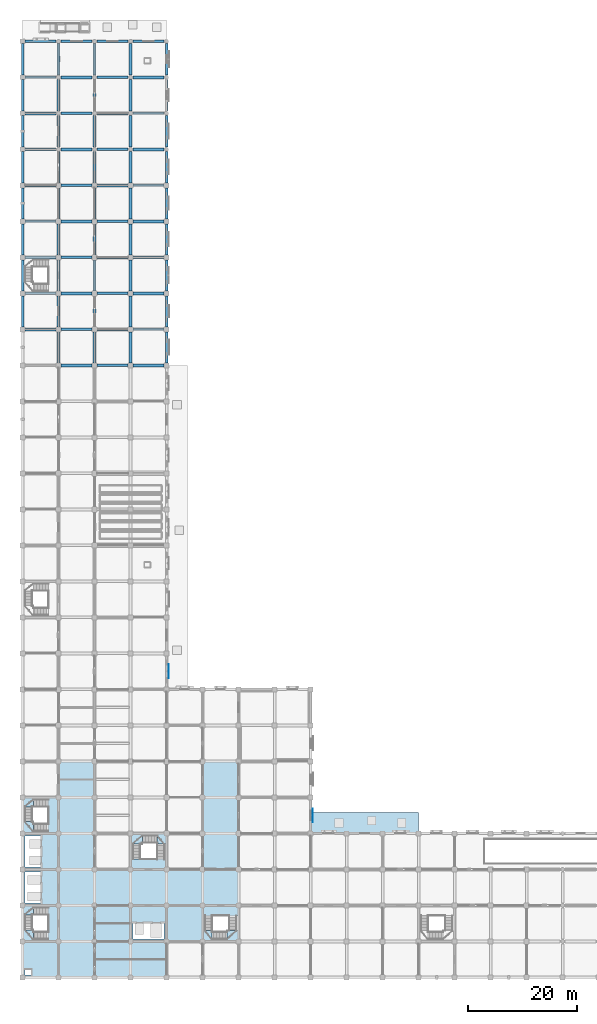
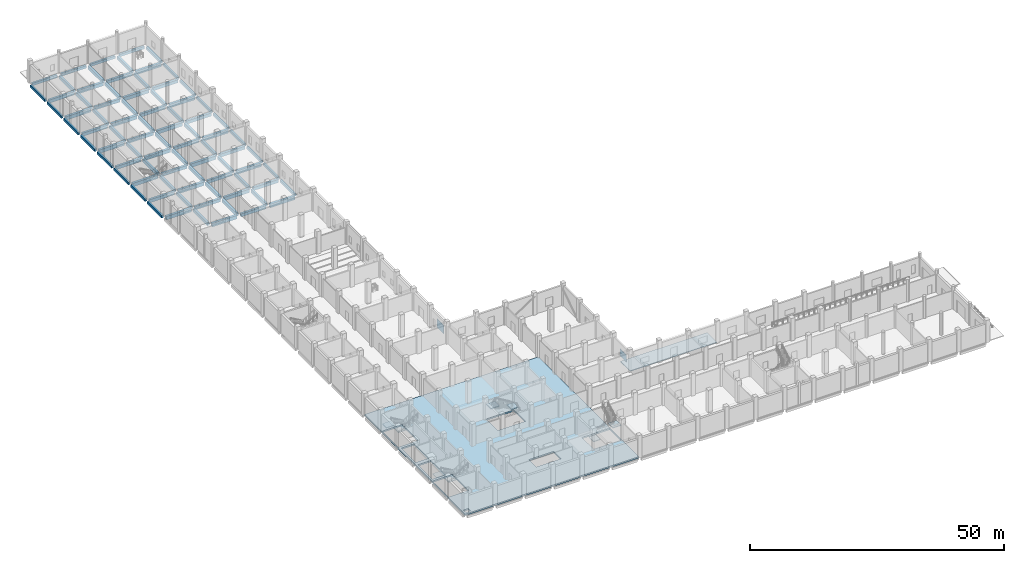
# One storey, part 5 of 28: 83 beams, 10 slabs, 2 plates, 4 elements without a shape of their own.
"""IFC4 building model written with IfcOpenShell, lengths in metres."""

from ifc_helpers import new_model, si_unit, direction, frame, origin, origin_2d, place, context, subcontext, project, spatial, polyline, rectangle, outline, extrude, material, layer, layer_set, material_profile, profile_set, type_object, element, aggregate, save


model = new_model("IFC4")

# Units and contexts
model_context = context("Model", 3, precision=1e-05, world=origin(), true_north=direction((0.0, 1.0)))
body_context = subcontext(model_context, "Body", "Model", "MODEL_VIEW")
ifc_project = project(units=[si_unit("LENGTHUNIT", "METRE"), si_unit("AREAUNIT", "SQUARE_METRE"), si_unit("VOLUMEUNIT", "CUBIC_METRE"), si_unit("PLANEANGLEUNIT", "RADIAN"), si_unit("MASSUNIT", "GRAM", prefix="KILO")], contexts=[model_context])

# Site, building, storey
site_placement = place(None, origin())
site = spatial("IfcSite", under=ifc_project, at=site_placement, CompositionType="ELEMENT")
building_placement = place(site_placement, origin())
building = spatial("IfcBuilding", under=site, at=building_placement, Name="Rusizi Kubbe Research Institute", CompositionType="ELEMENT")
storey_placement = place(building_placement, origin())
storey = spatial("IfcBuildingStorey", under=building, at=storey_placement, Name="L00", CompositionType="ELEMENT", Elevation=0.0)

# Beams
ifc_material_1 = material(Name="Concrete C40/50", Category="concrete")
ifc_material_profile_1 = material_profile(ifc_material_1, rectangle(XDim=0.449951171875, YDim=0.60009765625, at=origin_2d()), Name="RC450x600")
ifc_profile_set_1 = profile_set([ifc_material_profile_1], Name="Concrete C40/50")
beam_type_1 = type_object("IfcBeamType", Name="BM-RC450x600", PredefinedType="SPANDREL", material=ifc_profile_set_1)
for number, where, z_axis, x_axis, name in (
    (1, (0.449951171875, 171.60009765625, -0.7099609375), (1.0, 0.0, 0.0), (0.0, 1.0, 0.0), "Grid Beam H L00 (0,26)"),
    (2, (7.050048828125, 171.60009765625, -0.7099609375), (1.0, 0.0, 0.0), (0.0, 1.0, 0.0), "Grid Beam H L00 (1,26)"),
):
    element("IfcBeam", number, at=place(storey_placement, frame(where, z_axis=z_axis, x_axis=x_axis)), inside=storey, type_object=beam_type_1, Name=name, PredefinedType="SPANDREL", context=body_context, shape_type="SweptSolid", body=[
        extrude(rectangle(XDim=0.449951171875, YDim=0.60009765625, at=origin_2d()), origin(), (0.0, 0.0, 1.0), 5.699951171875),
    ])
beam_1_placement = place(storey_placement, frame((13.64990234375, 171.60009765625, -0.7099609375), z_axis=(1.0, 0.0, 0.0), x_axis=(0.0, 1.0, 0.0)))
element("IfcBeam", 3, at=beam_1_placement, inside=storey, type_object=beam_type_1, Name="Grid Beam H L00 (2,26)", PredefinedType="SPANDREL", context=body_context, shape_type="SweptSolid", body=[
    extrude(rectangle(XDim=0.449951171875, YDim=0.60009765625, at=origin_2d()), origin(), (0.0, 0.0, 1.0), 5.7001953125),
])
for number, where, z_axis, x_axis, name in (
    (4, (20.25, 171.60009765625, -0.7099609375), (1.0, 0.0, 0.0), (0.0, 1.0, 0.0), "Grid Beam H L00 (3,26)"),
    (5, (0.0, 119.25, -0.7099609375), (0.0, 1.0, 0.0), (-1.0, 0.0, 0.0), "Grid Beam V L00 (0,18)"),
    (6, (0.0, 125.85009765625, -0.7099609375), (0.0, 1.0, 0.0), (-1.0, 0.0, 0.0), "Grid Beam V L00 (0,19)"),
    (7, (0.0, 132.449951171875, -0.7099609375), (0.0, 1.0, 0.0), (-1.0, 0.0, 0.0), "Grid Beam V L00 (0,20)"),
    (8, (0.0, 139.050048828125, -0.7099609375), (0.0, 1.0, 0.0), (-1.0, 0.0, 0.0), "Grid Beam V L00 (0,21)"),
):
    element("IfcBeam", number, at=place(storey_placement, frame(where, z_axis=z_axis, x_axis=x_axis)), inside=storey, type_object=beam_type_1, Name=name, PredefinedType="SPANDREL", context=body_context, shape_type="SweptSolid", body=[
        extrude(rectangle(XDim=0.449951171875, YDim=0.60009765625, at=origin_2d()), origin(), (0.0, 0.0, 1.0), 5.699951171875),
    ])
beam_2_placement = place(storey_placement, frame((0.0, 145.64990234375, -0.7099609375), z_axis=(0.0, 1.0, 0.0), x_axis=(-1.0, 0.0, 0.0)))
element("IfcBeam", 9, at=beam_2_placement, inside=storey, type_object=beam_type_1, Name="Grid Beam V L00 (0,22)", PredefinedType="SPANDREL", context=body_context, shape_type="SweptSolid", body=[
    extrude(rectangle(XDim=0.449951171875, YDim=0.60009765625, at=origin_2d()), origin(), (0.0, 0.0, 1.0), 5.7001953125),
])
for number, where, z_axis, x_axis, name in (
    (10, (0.0, 152.25, -0.7099609375), (0.0, 1.0, 0.0), (-1.0, 0.0, 0.0), "Grid Beam V L00 (0,23)"),
    (11, (0.0, 158.85009765625, -0.7099609375), (0.0, 1.0, 0.0), (-1.0, 0.0, 0.0), "Grid Beam V L00 (0,24)"),
    (12, (0.0, 165.449951171875, -0.7099609375), (0.0, 1.0, 0.0), (-1.0, 0.0, 0.0), "Grid Beam V L00 (0,25)"),
):
    element("IfcBeam", number, at=place(storey_placement, frame(where, z_axis=z_axis, x_axis=x_axis)), inside=storey, type_object=beam_type_1, Name=name, PredefinedType="SPANDREL", context=body_context, shape_type="SweptSolid", body=[
        extrude(rectangle(XDim=0.449951171875, YDim=0.60009765625, at=origin_2d()), origin(), (0.0, 0.0, 1.0), 5.699951171875),
    ])
beam_3_placement = place(storey_placement, frame((26.39990234375, 112.64990234375, -0.7099609375), z_axis=(0.0, 1.0, 0.0), x_axis=(-1.0, 0.0, 0.0)))
element("IfcBeam", 13, at=beam_3_placement, inside=storey, type_object=beam_type_1, Name="Grid Beam V L00 (4,17)", PredefinedType="SPANDREL", context=body_context, shape_type="SweptSolid", body=[
    extrude(rectangle(XDim=0.449951171875, YDim=0.60009765625, at=origin_2d()), origin(), (0.0, 0.0, 1.0), 5.7001953125),
])
for number, where, z_axis, x_axis, name in (
    (14, (26.39990234375, 119.25, -0.7099609375), (0.0, 1.0, 0.0), (-1.0, 0.0, 0.0), "Grid Beam V L00 (4,18)"),
    (15, (26.39990234375, 125.85009765625, -0.7099609375), (0.0, 1.0, 0.0), (-1.0, 0.0, 0.0), "Grid Beam V L00 (4,19)"),
    (16, (26.39990234375, 132.449951171875, -0.7099609375), (0.0, 1.0, 0.0), (-1.0, 0.0, 0.0), "Grid Beam V L00 (4,20)"),
    (17, (26.39990234375, 139.050048828125, -0.7099609375), (0.0, 1.0, 0.0), (-1.0, 0.0, 0.0), "Grid Beam V L00 (4,21)"),
):
    element("IfcBeam", number, at=place(storey_placement, frame(where, z_axis=z_axis, x_axis=x_axis)), inside=storey, type_object=beam_type_1, Name=name, PredefinedType="SPANDREL", context=body_context, shape_type="SweptSolid", body=[
        extrude(rectangle(XDim=0.449951171875, YDim=0.60009765625, at=origin_2d()), origin(), (0.0, 0.0, 1.0), 5.699951171875),
    ])
beam_4_placement = place(storey_placement, frame((26.39990234375, 145.64990234375, -0.7099609375), z_axis=(0.0, 1.0, 0.0), x_axis=(-1.0, 0.0, 0.0)))
element("IfcBeam", 18, at=beam_4_placement, inside=storey, type_object=beam_type_1, Name="Grid Beam V L00 (4,22)", PredefinedType="SPANDREL", context=body_context, shape_type="SweptSolid", body=[
    extrude(rectangle(XDim=0.449951171875, YDim=0.60009765625, at=origin_2d()), origin(), (0.0, 0.0, 1.0), 5.7001953125),
])
for number, where, z_axis, x_axis, name in (
    (19, (26.39990234375, 152.25, -0.7099609375), (0.0, 1.0, 0.0), (-1.0, 0.0, 0.0), "Grid Beam V L00 (4,23)"),
    (20, (26.39990234375, 158.85009765625, -0.7099609375), (0.0, 1.0, 0.0), (-1.0, 0.0, 0.0), "Grid Beam V L00 (4,24)"),
    (21, (26.39990234375, 165.449951171875, -0.7099609375), (0.0, 1.0, 0.0), (-1.0, 0.0, 0.0), "Grid Beam V L00 (4,25)"),
):
    element("IfcBeam", number, at=place(storey_placement, frame(where, z_axis=z_axis, x_axis=x_axis)), inside=storey, type_object=beam_type_1, Name=name, PredefinedType="SPANDREL", context=body_context, shape_type="SweptSolid", body=[
        extrude(rectangle(XDim=0.449951171875, YDim=0.60009765625, at=origin_2d()), origin(), (0.0, 0.0, 1.0), 5.699951171875),
    ])
ifc_material_2 = material(Name="Concrete C45/55", Category="concrete")
ifc_material_profile_2 = material_profile(ifc_material_2, rectangle(XDim=0.5, YDim=0.75, at=origin_2d()), Name="RC500x750B")
ifc_profile_set_2 = profile_set([ifc_material_profile_2], Name="Concrete C45/55")
beam_type_2 = type_object("IfcBeamType", Name="BM-RC500x750", PredefinedType="BEAM", material=ifc_profile_set_2)
for number, where, z_axis, x_axis, name in (
    (22, (0.449951171875, 125.39990234375, -0.784912109375), (1.0, 0.0, 0.0), (0.0, 1.0, 0.0), "Grid Beam H L00 (0,19)"),
    (23, (0.449951171875, 138.60009765625, -0.784912109375), (1.0, 0.0, 0.0), (0.0, 1.0, 0.0), "Grid Beam H L00 (0,21)"),
    (24, (0.449951171875, 151.800048828125, -0.784912109375), (1.0, 0.0, 0.0), (0.0, 1.0, 0.0), "Grid Beam H L00 (0,23)"),
    (25, (0.449951171875, 165.0, -0.784912109375), (1.0, 0.0, 0.0), (0.0, 1.0, 0.0), "Grid Beam H L00 (0,25)"),
    (26, (7.050048828125, 118.800048828125, -0.784912109375), (1.0, 0.0, 0.0), (0.0, 1.0, 0.0), "Grid Beam H L00 (1,18)"),
    (27, (7.050048828125, 132.0, -0.784912109375), (1.0, 0.0, 0.0), (0.0, 1.0, 0.0), "Grid Beam H L00 (1,20)"),
    (28, (7.050048828125, 145.199951171875, -0.784912109375), (1.0, 0.0, 0.0), (0.0, 1.0, 0.0), "Grid Beam H L00 (1,22)"),
    (29, (7.050048828125, 158.39990234375, -0.784912109375), (1.0, 0.0, 0.0), (0.0, 1.0, 0.0), "Grid Beam H L00 (1,24)"),
):
    element("IfcBeam", number, at=place(storey_placement, frame(where, z_axis=z_axis, x_axis=x_axis)), inside=storey, type_object=beam_type_2, Name=name, PredefinedType="BEAM", context=body_context, shape_type="SweptSolid", body=[
        extrude(rectangle(XDim=0.5, YDim=0.75, at=origin_2d()), origin(), (0.0, 0.0, 1.0), 5.699951171875),
    ])
for number, where, z_axis, x_axis, name in (
    (30, (13.64990234375, 112.199951171875, -0.784912109375), (1.0, 0.0, 0.0), (0.0, 1.0, 0.0), "Grid Beam H L00 (2,17)"),
    (31, (13.64990234375, 125.39990234375, -0.784912109375), (1.0, 0.0, 0.0), (0.0, 1.0, 0.0), "Grid Beam H L00 (2,19)"),
    (32, (13.64990234375, 138.60009765625, -0.784912109375), (1.0, 0.0, 0.0), (0.0, 1.0, 0.0), "Grid Beam H L00 (2,21)"),
    (33, (13.64990234375, 151.800048828125, -0.784912109375), (1.0, 0.0, 0.0), (0.0, 1.0, 0.0), "Grid Beam H L00 (2,23)"),
    (34, (13.64990234375, 165.0, -0.784912109375), (1.0, 0.0, 0.0), (0.0, 1.0, 0.0), "Grid Beam H L00 (2,25)"),
):
    element("IfcBeam", number, at=place(storey_placement, frame(where, z_axis=z_axis, x_axis=x_axis)), inside=storey, type_object=beam_type_2, Name=name, PredefinedType="BEAM", context=body_context, shape_type="SweptSolid", body=[
        extrude(rectangle(XDim=0.5, YDim=0.75, at=origin_2d()), origin(), (0.0, 0.0, 1.0), 5.7001953125),
    ])
for number, where, z_axis, x_axis, name in (
    (35, (20.25, 118.800048828125, -0.784912109375), (1.0, 0.0, 0.0), (0.0, 1.0, 0.0), "Grid Beam H L00 (3,18)"),
    (36, (20.25, 132.0, -0.784912109375), (1.0, 0.0, 0.0), (0.0, 1.0, 0.0), "Grid Beam H L00 (3,20)"),
    (37, (20.25, 145.199951171875, -0.784912109375), (1.0, 0.0, 0.0), (0.0, 1.0, 0.0), "Grid Beam H L00 (3,22)"),
    (38, (20.25, 158.39990234375, -0.784912109375), (1.0, 0.0, 0.0), (0.0, 1.0, 0.0), "Grid Beam H L00 (3,24)"),
):
    element("IfcBeam", number, at=place(storey_placement, frame(where, z_axis=z_axis, x_axis=x_axis)), inside=storey, type_object=beam_type_2, Name=name, PredefinedType="BEAM", context=body_context, shape_type="SweptSolid", body=[
        extrude(rectangle(XDim=0.5, YDim=0.75, at=origin_2d()), origin(), (0.0, 0.0, 1.0), 5.699951171875),
    ])
beam_5_placement = place(storey_placement, frame((6.60009765625, 112.64990234375, -0.784912109375), z_axis=(0.0, 1.0, 0.0), x_axis=(-1.0, 0.0, 0.0)))
element("IfcBeam", 39, at=beam_5_placement, inside=storey, type_object=beam_type_2, Name="Grid Beam V L00 (1,17)", PredefinedType="BEAM", context=body_context, shape_type="SweptSolid", body=[
    extrude(rectangle(XDim=0.5, YDim=0.75, at=origin_2d()), origin(), (0.0, 0.0, 1.0), 5.7001953125),
])
for number, where, z_axis, x_axis, name in (
    (40, (6.60009765625, 119.25, -0.784912109375), (0.0, 1.0, 0.0), (-1.0, 0.0, 0.0), "Grid Beam V L00 (1,18)"),
    (41, (6.60009765625, 125.85009765625, -0.784912109375), (0.0, 1.0, 0.0), (-1.0, 0.0, 0.0), "Grid Beam V L00 (1,19)"),
    (42, (6.60009765625, 132.449951171875, -0.784912109375), (0.0, 1.0, 0.0), (-1.0, 0.0, 0.0), "Grid Beam V L00 (1,20)"),
    (43, (6.60009765625, 139.050048828125, -0.784912109375), (0.0, 1.0, 0.0), (-1.0, 0.0, 0.0), "Grid Beam V L00 (1,21)"),
):
    element("IfcBeam", number, at=place(storey_placement, frame(where, z_axis=z_axis, x_axis=x_axis)), inside=storey, type_object=beam_type_2, Name=name, PredefinedType="BEAM", context=body_context, shape_type="SweptSolid", body=[
        extrude(rectangle(XDim=0.5, YDim=0.75, at=origin_2d()), origin(), (0.0, 0.0, 1.0), 5.699951171875),
    ])
beam_6_placement = place(storey_placement, frame((6.60009765625, 145.64990234375, -0.784912109375), z_axis=(0.0, 1.0, 0.0), x_axis=(-1.0, 0.0, 0.0)))
element("IfcBeam", 44, at=beam_6_placement, inside=storey, type_object=beam_type_2, Name="Grid Beam V L00 (1,22)", PredefinedType="BEAM", context=body_context, shape_type="SweptSolid", body=[
    extrude(rectangle(XDim=0.5, YDim=0.75, at=origin_2d()), origin(), (0.0, 0.0, 1.0), 5.7001953125),
])
for number, where, z_axis, x_axis, name in (
    (45, (6.60009765625, 152.25, -0.784912109375), (0.0, 1.0, 0.0), (-1.0, 0.0, 0.0), "Grid Beam V L00 (1,23)"),
    (46, (6.60009765625, 158.85009765625, -0.784912109375), (0.0, 1.0, 0.0), (-1.0, 0.0, 0.0), "Grid Beam V L00 (1,24)"),
    (47, (6.60009765625, 165.449951171875, -0.784912109375), (0.0, 1.0, 0.0), (-1.0, 0.0, 0.0), "Grid Beam V L00 (1,25)"),
):
    element("IfcBeam", number, at=place(storey_placement, frame(where, z_axis=z_axis, x_axis=x_axis)), inside=storey, type_object=beam_type_2, Name=name, PredefinedType="BEAM", context=body_context, shape_type="SweptSolid", body=[
        extrude(rectangle(XDim=0.5, YDim=0.75, at=origin_2d()), origin(), (0.0, 0.0, 1.0), 5.699951171875),
    ])
beam_7_placement = place(storey_placement, frame((13.199951171875, 112.64990234375, -0.784912109375), z_axis=(0.0, 1.0, 0.0), x_axis=(-1.0, 0.0, 0.0)))
element("IfcBeam", 48, at=beam_7_placement, inside=storey, type_object=beam_type_2, Name="Grid Beam V L00 (2,17)", PredefinedType="BEAM", context=body_context, shape_type="SweptSolid", body=[
    extrude(rectangle(XDim=0.5, YDim=0.75, at=origin_2d()), origin(), (0.0, 0.0, 1.0), 5.7001953125),
])
for number, where, z_axis, x_axis, name in (
    (49, (13.199951171875, 119.25, -0.784912109375), (0.0, 1.0, 0.0), (-1.0, 0.0, 0.0), "Grid Beam V L00 (2,18)"),
    (50, (13.199951171875, 125.85009765625, -0.784912109375), (0.0, 1.0, 0.0), (-1.0, 0.0, 0.0), "Grid Beam V L00 (2,19)"),
    (51, (13.199951171875, 132.449951171875, -0.784912109375), (0.0, 1.0, 0.0), (-1.0, 0.0, 0.0), "Grid Beam V L00 (2,20)"),
    (52, (13.199951171875, 139.050048828125, -0.784912109375), (0.0, 1.0, 0.0), (-1.0, 0.0, 0.0), "Grid Beam V L00 (2,21)"),
):
    element("IfcBeam", number, at=place(storey_placement, frame(where, z_axis=z_axis, x_axis=x_axis)), inside=storey, type_object=beam_type_2, Name=name, PredefinedType="BEAM", context=body_context, shape_type="SweptSolid", body=[
        extrude(rectangle(XDim=0.5, YDim=0.75, at=origin_2d()), origin(), (0.0, 0.0, 1.0), 5.699951171875),
    ])
beam_8_placement = place(storey_placement, frame((13.199951171875, 145.64990234375, -0.784912109375), z_axis=(0.0, 1.0, 0.0), x_axis=(-1.0, 0.0, 0.0)))
element("IfcBeam", 53, at=beam_8_placement, inside=storey, type_object=beam_type_2, Name="Grid Beam V L00 (2,22)", PredefinedType="BEAM", context=body_context, shape_type="SweptSolid", body=[
    extrude(rectangle(XDim=0.5, YDim=0.75, at=origin_2d()), origin(), (0.0, 0.0, 1.0), 5.7001953125),
])
for number, where, z_axis, x_axis, name in (
    (54, (13.199951171875, 152.25, -0.784912109375), (0.0, 1.0, 0.0), (-1.0, 0.0, 0.0), "Grid Beam V L00 (2,23)"),
    (55, (13.199951171875, 158.85009765625, -0.784912109375), (0.0, 1.0, 0.0), (-1.0, 0.0, 0.0), "Grid Beam V L00 (2,24)"),
    (56, (13.199951171875, 165.449951171875, -0.784912109375), (0.0, 1.0, 0.0), (-1.0, 0.0, 0.0), "Grid Beam V L00 (2,25)"),
):
    element("IfcBeam", number, at=place(storey_placement, frame(where, z_axis=z_axis, x_axis=x_axis)), inside=storey, type_object=beam_type_2, Name=name, PredefinedType="BEAM", context=body_context, shape_type="SweptSolid", body=[
        extrude(rectangle(XDim=0.5, YDim=0.75, at=origin_2d()), origin(), (0.0, 0.0, 1.0), 5.699951171875),
    ])
beam_9_placement = place(storey_placement, frame((19.800048828125, 112.64990234375, -0.784912109375), z_axis=(0.0, 1.0, 0.0), x_axis=(-1.0, 0.0, 0.0)))
element("IfcBeam", 57, at=beam_9_placement, inside=storey, type_object=beam_type_2, Name="Grid Beam V L00 (3,17)", PredefinedType="BEAM", context=body_context, shape_type="SweptSolid", body=[
    extrude(rectangle(XDim=0.5, YDim=0.75, at=origin_2d()), origin(), (0.0, 0.0, 1.0), 5.7001953125),
])
for number, where, z_axis, x_axis, name in (
    (58, (19.800048828125, 119.25, -0.784912109375), (0.0, 1.0, 0.0), (-1.0, 0.0, 0.0), "Grid Beam V L00 (3,18)"),
    (59, (19.800048828125, 125.85009765625, -0.784912109375), (0.0, 1.0, 0.0), (-1.0, 0.0, 0.0), "Grid Beam V L00 (3,19)"),
    (60, (19.800048828125, 132.449951171875, -0.784912109375), (0.0, 1.0, 0.0), (-1.0, 0.0, 0.0), "Grid Beam V L00 (3,20)"),
    (61, (19.800048828125, 139.050048828125, -0.784912109375), (0.0, 1.0, 0.0), (-1.0, 0.0, 0.0), "Grid Beam V L00 (3,21)"),
):
    element("IfcBeam", number, at=place(storey_placement, frame(where, z_axis=z_axis, x_axis=x_axis)), inside=storey, type_object=beam_type_2, Name=name, PredefinedType="BEAM", context=body_context, shape_type="SweptSolid", body=[
        extrude(rectangle(XDim=0.5, YDim=0.75, at=origin_2d()), origin(), (0.0, 0.0, 1.0), 5.699951171875),
    ])
beam_10_placement = place(storey_placement, frame((19.800048828125, 145.64990234375, -0.784912109375), z_axis=(0.0, 1.0, 0.0), x_axis=(-1.0, 0.0, 0.0)))
element("IfcBeam", 62, at=beam_10_placement, inside=storey, type_object=beam_type_2, Name="Grid Beam V L00 (3,22)", PredefinedType="BEAM", context=body_context, shape_type="SweptSolid", body=[
    extrude(rectangle(XDim=0.5, YDim=0.75, at=origin_2d()), origin(), (0.0, 0.0, 1.0), 5.7001953125),
])
for number, where, z_axis, x_axis, name in (
    (63, (19.800048828125, 152.25, -0.784912109375), (0.0, 1.0, 0.0), (-1.0, 0.0, 0.0), "Grid Beam V L00 (3,23)"),
    (64, (19.800048828125, 158.85009765625, -0.784912109375), (0.0, 1.0, 0.0), (-1.0, 0.0, 0.0), "Grid Beam V L00 (3,24)"),
    (65, (19.800048828125, 165.449951171875, -0.784912109375), (0.0, 1.0, 0.0), (-1.0, 0.0, 0.0), "Grid Beam V L00 (3,25)"),
):
    element("IfcBeam", number, at=place(storey_placement, frame(where, z_axis=z_axis, x_axis=x_axis)), inside=storey, type_object=beam_type_2, Name=name, PredefinedType="BEAM", context=body_context, shape_type="SweptSolid", body=[
        extrude(rectangle(XDim=0.5, YDim=0.75, at=origin_2d()), origin(), (0.0, 0.0, 1.0), 5.699951171875),
    ])
ifc_material_3 = material(Name="Concrete C45/55", Category="concrete")
ifc_material_profile_3 = material_profile(ifc_material_3, rectangle(XDim=0.550048828125, YDim=0.85009765625, at=origin_2d()), Name="RC550x850")
ifc_profile_set_3 = profile_set([ifc_material_profile_3], Name="Concrete C45/55")
beam_type_3 = type_object("IfcBeamType", Name="BM-RC550x850", PredefinedType="BEAM", material=ifc_profile_set_3)
for number, where, z_axis, x_axis, name in (
    (66, (0.449951171875, 118.800048828125, -0.8349609375), (1.0, 0.0, 0.0), (0.0, 1.0, 0.0), "Grid Beam H L00 (0,18)"),
    (67, (0.449951171875, 132.0, -0.8349609375), (1.0, 0.0, 0.0), (0.0, 1.0, 0.0), "Grid Beam H L00 (0,20)"),
    (68, (0.449951171875, 145.199951171875, -0.8349609375), (1.0, 0.0, 0.0), (0.0, 1.0, 0.0), "Grid Beam H L00 (0,22)"),
    (69, (0.449951171875, 158.39990234375, -0.8349609375), (1.0, 0.0, 0.0), (0.0, 1.0, 0.0), "Grid Beam H L00 (0,24)"),
    (70, (7.050048828125, 112.199951171875, -0.8349609375), (1.0, 0.0, 0.0), (0.0, 1.0, 0.0), "Grid Beam H L00 (1,17)"),
    (71, (7.050048828125, 125.39990234375, -0.8349609375), (1.0, 0.0, 0.0), (0.0, 1.0, 0.0), "Grid Beam H L00 (1,19)"),
    (72, (7.050048828125, 138.60009765625, -0.8349609375), (1.0, 0.0, 0.0), (0.0, 1.0, 0.0), "Grid Beam H L00 (1,21)"),
    (73, (7.050048828125, 151.800048828125, -0.8349609375), (1.0, 0.0, 0.0), (0.0, 1.0, 0.0), "Grid Beam H L00 (1,23)"),
    (74, (7.050048828125, 165.0, -0.8349609375), (1.0, 0.0, 0.0), (0.0, 1.0, 0.0), "Grid Beam H L00 (1,25)"),
):
    element("IfcBeam", number, at=place(storey_placement, frame(where, z_axis=z_axis, x_axis=x_axis)), inside=storey, type_object=beam_type_3, Name=name, PredefinedType="BEAM", context=body_context, shape_type="SweptSolid", body=[
        extrude(rectangle(XDim=0.550048828125, YDim=0.85009765625, at=origin_2d()), origin(), (0.0, 0.0, 1.0), 5.699951171875),
    ])
for number, where, z_axis, x_axis, name in (
    (75, (13.64990234375, 118.800048828125, -0.8349609375), (1.0, 0.0, 0.0), (0.0, 1.0, 0.0), "Grid Beam H L00 (2,18)"),
    (76, (13.64990234375, 132.0, -0.8349609375), (1.0, 0.0, 0.0), (0.0, 1.0, 0.0), "Grid Beam H L00 (2,20)"),
    (77, (13.64990234375, 145.199951171875, -0.8349609375), (1.0, 0.0, 0.0), (0.0, 1.0, 0.0), "Grid Beam H L00 (2,22)"),
    (78, (13.64990234375, 158.39990234375, -0.8349609375), (1.0, 0.0, 0.0), (0.0, 1.0, 0.0), "Grid Beam H L00 (2,24)"),
):
    element("IfcBeam", number, at=place(storey_placement, frame(where, z_axis=z_axis, x_axis=x_axis)), inside=storey, type_object=beam_type_3, Name=name, PredefinedType="BEAM", context=body_context, shape_type="SweptSolid", body=[
        extrude(rectangle(XDim=0.550048828125, YDim=0.85009765625, at=origin_2d()), origin(), (0.0, 0.0, 1.0), 5.7001953125),
    ])
for number, where, z_axis, x_axis, name in (
    (79, (20.25, 112.199951171875, -0.8349609375), (1.0, 0.0, 0.0), (0.0, 1.0, 0.0), "Grid Beam H L00 (3,17)"),
    (80, (20.25, 125.39990234375, -0.8349609375), (1.0, 0.0, 0.0), (0.0, 1.0, 0.0), "Grid Beam H L00 (3,19)"),
    (81, (20.25, 138.60009765625, -0.8349609375), (1.0, 0.0, 0.0), (0.0, 1.0, 0.0), "Grid Beam H L00 (3,21)"),
    (82, (20.25, 151.800048828125, -0.8349609375), (1.0, 0.0, 0.0), (0.0, 1.0, 0.0), "Grid Beam H L00 (3,23)"),
    (83, (20.25, 165.0, -0.8349609375), (1.0, 0.0, 0.0), (0.0, 1.0, 0.0), "Grid Beam H L00 (3,25)"),
):
    element("IfcBeam", number, at=place(storey_placement, frame(where, z_axis=z_axis, x_axis=x_axis)), inside=storey, type_object=beam_type_3, Name=name, PredefinedType="BEAM", context=body_context, shape_type="SweptSolid", body=[
        extrude(rectangle(XDim=0.550048828125, YDim=0.85009765625, at=origin_2d()), origin(), (0.0, 0.0, 1.0), 5.699951171875),
    ])

# Plates
ifc_material_4 = material(Name="Perforated Architectural Bronze Screen", Category="steel")
ifc_layer_1 = layer(ifc_material_4, 0.02001953125)
ifc_layer_set_1 = layer_set([ifc_layer_1], Name="Perforated Architectural Bronze Screen")
plate_type_1 = type_object("IfcPlateType", Name="MS-02", PredefinedType="SHEET", material=ifc_layer_set_1)
plate_1_placement = place(storey_placement, frame((26.782470703125, 56.10009765625, 0.760009765625), z_axis=(0.0, 0.0, 1.0), x_axis=(0.0, 1.0, 0.0)))
element("IfcPlate", 84, at=plate_1_placement, inside=storey, type_object=plate_type_1, Name="Mashrabiya Perforated Screen MS-02-001", PredefinedType="SHEET", context=body_context, shape_type="SweptSolid", body=[
    extrude(rectangle(XDim=2.60009765625, YDim=0.02001953125, at=origin_2d()), origin(), (0.0, 0.0, 1.0), 2.1201171875),
])
ifc_material_5 = material(Name="Perforated Architectural Bronze Screen", Category="steel")
ifc_layer_2 = layer(ifc_material_5, 0.01904296875)
ifc_layer_set_2 = layer_set([ifc_layer_2], Name="Perforated Architectural Bronze Screen")
plate_type_2 = type_object("IfcPlateType", Name="MS-06", PredefinedType="SHEET", material=ifc_layer_set_2)
plate_2_placement = place(storey_placement, frame((53.1826171875, 29.699951171875, 0.76025390625), z_axis=(0.0, 0.0, 1.0), x_axis=(0.0, 1.0, 0.0)))
element("IfcPlate", 85, at=plate_2_placement, inside=storey, type_object=plate_type_2, Name="Mashrabiya Perforated Screen MS-06-017", PredefinedType="SHEET", context=body_context, shape_type="SweptSolid", body=[
    extrude(rectangle(XDim=2.5, YDim=0.01904296875, at=origin_2d()), origin(), (0.0, 0.0, 1.0), 1.679931640625),
])

# Slabs
ifc_material_6 = material(Name="Concrete C40/50", Category="concrete")
ifc_layer_3 = layer(ifc_material_6, 0.14990234375)
ifc_layer_set_3 = layer_set([ifc_layer_3], Name="Concrete C40/50")
slab_type_1 = type_object("IfcSlabType", Name="SL-APRON", PredefinedType="FLOOR", material=ifc_layer_set_3)
slab_1_placement = place(storey_placement, frame((0.0, 0.0, -0.14990234375)))
element("IfcSlab", 86, at=slab_1_placement, inside=storey, type_object=slab_type_1, Name="Forecourt Threshold Slab CLOISTER-SOUTH-1", PredefinedType="FLOOR", context=body_context, shape_type="SweptSolid", body=[
    extrude(outline(polyline([(52.800048828125, 26.39990234375), (52.800048828125, 30.199951171875), (72.60009765625, 30.199951171875), (72.60009765625, 26.39990234375), (52.800048828125, 26.39990234375)])), origin(), (0.0, 0.0, 1.0), 0.14990234375),
])
ifc_material_7 = material(Name="Concrete C40/50", Category="concrete")
ifc_layer_4 = layer(ifc_material_7, 0.360107421875)
ifc_layer_set_4 = layer_set([ifc_layer_4], Name="Concrete C40/50")
slab_type_2 = type_object("IfcSlabType", Name="SL-F360", PredefinedType="FLOOR", material=ifc_layer_set_4)
slab_2_placement = place(storey_placement, frame((0.0, 0.0, -0.360107421875)))
element("IfcSlab", 87, at=slab_2_placement, inside=storey, type_object=slab_type_2, Name="Structural Slab L00 CORE", PredefinedType="FLOOR", context=body_context, shape_type="SweptSolid", body=[
    extrude(outline(polyline([(6.60009765625, 0.0), (0.0, 0.0), (0.0, 6.60009765625), (0.0, 13.199951171875), (0.0, 19.800048828125), (0.0, 26.39990234375), (0.0, 33.0), (0.0, 39.60009765625), (6.60009765625, 39.60009765625), (13.199951171875, 39.60009765625), (19.800048828125, 39.60009765625), (26.39990234375, 39.60009765625), (33.0, 39.60009765625), (39.60009765625, 39.60009765625), (39.60009765625, 33.0), (39.60009765625, 26.39990234375), (39.60009765625, 19.800048828125), (39.60009765625, 13.199951171875), (39.60009765625, 6.60009765625), (39.60009765625, 0.0), (33.0, 0.0), (26.39990234375, 0.0), (19.800048828125, 0.0), (13.199951171875, 0.0), (6.60009765625, 0.0)]), holes=[polyline([(0.449951171875, 1.35009765625), (0.449951171875, 0.449951171875), (1.550048828125, 0.449951171875), (1.550048828125, 1.35009765625), (0.449951171875, 1.35009765625)]), polyline([(4.699951171875, 13.06005859375), (0.139892578125, 13.06005859375), (0.139892578125, 6.739990234375), (4.699951171875, 6.739990234375), (4.699951171875, 13.06005859375)]), polyline([(3.35009765625, 19.35009765625), (0.449951171875, 19.35009765625), (0.449951171875, 13.64990234375), (3.35009765625, 13.64990234375), (3.35009765625, 19.35009765625)]), polyline([(0.449951171875, 25.949951171875), (0.449951171875, 20.25), (3.35009765625, 20.25), (3.35009765625, 25.949951171875), (0.449951171875, 25.949951171875)]), polyline([(4.699951171875, 32.860107421875), (0.139892578125, 32.860107421875), (0.139892578125, 26.5400390625), (4.699951171875, 26.5400390625), (4.699951171875, 32.860107421875)]), polyline([(20.25, 9.949951171875), (20.25, 7.050048828125), (25.949951171875, 7.050048828125), (25.949951171875, 9.949951171875), (20.25, 9.949951171875)]), polyline([(39.4599609375, 11.300048828125), (33.139892578125, 11.300048828125), (33.139892578125, 6.739990234375), (39.4599609375, 6.739990234375), (39.4599609375, 11.300048828125)]), polyline([(26.260009765625, 26.260009765625), (19.93994140625, 26.260009765625), (19.93994140625, 21.699951171875), (26.260009765625, 21.699951171875), (26.260009765625, 26.260009765625)])]), origin(), (0.0, 0.0, 1.0), 0.360107421875),
])

# Stair, slabs
ifc_material_8 = material(Name="Concrete C40/50", Category="concrete")
stair_type = type_object("IfcStairType", Name="ST-H540", PredefinedType="THREE_QUARTER_TURN_STAIR", material=ifc_material_8)
stair_1_placement = place(storey_placement, origin())
stair_1 = element("IfcStair", 88, at=stair_1_placement, inside=storey, type_object=stair_type, Name="Protected Exit Stair ST1 (L00)", PredefinedType="THREE_QUARTER_TURN_STAIR")
ifc_material_9 = material(Name="Concrete C40/50", Category="concrete")
ifc_layer_5 = layer(ifc_material_9, 0.179931640625)
ifc_layer_set_5 = layer_set([ifc_layer_5], Name="Concrete C40/50")
slab_type_3 = type_object("IfcSlabType", Name="SL-L180", PredefinedType="LANDING", material=ifc_layer_set_5)
slab_3_placement = place(storey_placement, frame((0.0, 0.0, 1.6201171875)))
slab_3 = element("IfcSlab", 89, at=slab_3_placement, type_object=slab_type_3, Name="ST1 landing 1", PredefinedType="LANDING", context=body_context, shape_type="SweptSolid", body=[
    extrude(outline(polyline([(1.986083984375, 13.06005859375), (0.139892578125, 13.06005859375), (0.139892578125, 11.449951171875), (1.986083984375, 11.449951171875), (1.986083984375, 13.06005859375)])), origin(), (0.0, 0.0, 1.0), 0.179931640625),
])
slab_4_placement = place(storey_placement, frame((0.0, 0.0, 3.419921875)))
slab_4 = element("IfcSlab", 90, at=slab_4_placement, type_object=slab_type_3, Name="ST1 landing 2", PredefinedType="LANDING", context=body_context, shape_type="SweptSolid", body=[
    extrude(outline(polyline([(1.986083984375, 8.736083984375), (0.139892578125, 8.736083984375), (0.139892578125, 6.739990234375), (1.986083984375, 6.739990234375), (1.986083984375, 8.736083984375)])), origin(), (0.0, 0.0, 1.0), 0.18017578125),
])
aggregate(stair_1, [slab_3, slab_4])

stair_2_placement = place(storey_placement, origin())
stair_2 = element("IfcStair", 91, at=stair_2_placement, inside=storey, type_object=stair_type, Name="Protected Exit Stair ST2 (L00)", PredefinedType="THREE_QUARTER_TURN_STAIR")
slab_5_placement = place(storey_placement, frame((0.0, 0.0, 1.6201171875)))
slab_5 = element("IfcSlab", 92, at=slab_5_placement, type_object=slab_type_3, Name="ST2 landing 1", PredefinedType="LANDING", context=body_context, shape_type="SweptSolid", body=[
    extrude(outline(polyline([(1.986083984375, 32.860107421875), (0.139892578125, 32.860107421875), (0.139892578125, 31.25), (1.986083984375, 31.25), (1.986083984375, 32.860107421875)])), origin(), (0.0, 0.0, 1.0), 0.179931640625),
])
slab_6_placement = place(storey_placement, frame((0.0, 0.0, 3.419921875)))
slab_6 = element("IfcSlab", 93, at=slab_6_placement, type_object=slab_type_3, Name="ST2 landing 2", PredefinedType="LANDING", context=body_context, shape_type="SweptSolid", body=[
    extrude(outline(polyline([(1.986083984375, 28.535888671875), (0.139892578125, 28.535888671875), (0.139892578125, 26.5400390625), (1.986083984375, 26.5400390625), (1.986083984375, 28.535888671875)])), origin(), (0.0, 0.0, 1.0), 0.18017578125),
])
aggregate(stair_2, [slab_5, slab_6])

stair_3_placement = place(storey_placement, origin())
stair_3 = element("IfcStair", 94, at=stair_3_placement, inside=storey, type_object=stair_type, Name="Protected Exit Stair ST3 (L00)", PredefinedType="THREE_QUARTER_TURN_STAIR")
slab_7_placement = place(storey_placement, frame((0.0, 0.0, 1.6201171875)))
slab_7 = element("IfcSlab", 95, at=slab_7_placement, type_object=slab_type_3, Name="ST3 landing 1", PredefinedType="LANDING", context=body_context, shape_type="SweptSolid", body=[
    extrude(outline(polyline([(26.260009765625, 24.4140625), (26.260009765625, 26.260009765625), (24.64990234375, 26.260009765625), (24.64990234375, 24.4140625), (26.260009765625, 24.4140625)])), origin(), (0.0, 0.0, 1.0), 0.179931640625),
])
slab_8_placement = place(storey_placement, frame((0.0, 0.0, 3.419921875)))
slab_8 = element("IfcSlab", 96, at=slab_8_placement, type_object=slab_type_3, Name="ST3 landing 2", PredefinedType="LANDING", context=body_context, shape_type="SweptSolid", body=[
    extrude(outline(polyline([(21.93603515625, 24.4140625), (21.93603515625, 26.260009765625), (19.93994140625, 26.260009765625), (19.93994140625, 24.4140625), (21.93603515625, 24.4140625)])), origin(), (0.0, 0.0, 1.0), 0.18017578125),
])
aggregate(stair_3, [slab_7, slab_8])

stair_4_placement = place(storey_placement, origin())
stair_4 = element("IfcStair", 97, at=stair_4_placement, inside=storey, type_object=stair_type, Name="Protected Exit Stair ST4 (L00)", PredefinedType="THREE_QUARTER_TURN_STAIR")
slab_9_placement = place(storey_placement, frame((0.0, 0.0, 1.6201171875)))
slab_9 = element("IfcSlab", 98, at=slab_9_placement, type_object=slab_type_3, Name="ST4 landing 1", PredefinedType="LANDING", context=body_context, shape_type="SweptSolid", body=[
    extrude(outline(polyline([(33.139892578125, 8.5859375), (33.139892578125, 6.739990234375), (34.75, 6.739990234375), (34.75, 8.5859375), (33.139892578125, 8.5859375)])), origin(), (0.0, 0.0, 1.0), 0.179931640625),
])
slab_10_placement = place(storey_placement, frame((0.0, 0.0, 3.419921875)))
slab_10 = element("IfcSlab", 99, at=slab_10_placement, type_object=slab_type_3, Name="ST4 landing 2", PredefinedType="LANDING", context=body_context, shape_type="SweptSolid", body=[
    extrude(outline(polyline([(37.464111328125, 8.5859375), (37.464111328125, 6.739990234375), (39.4599609375, 6.739990234375), (39.4599609375, 8.5859375), (37.464111328125, 8.5859375)])), origin(), (0.0, 0.0, 1.0), 0.18017578125),
])
aggregate(stair_4, [slab_9, slab_10])

save(model, "model.ifc")
